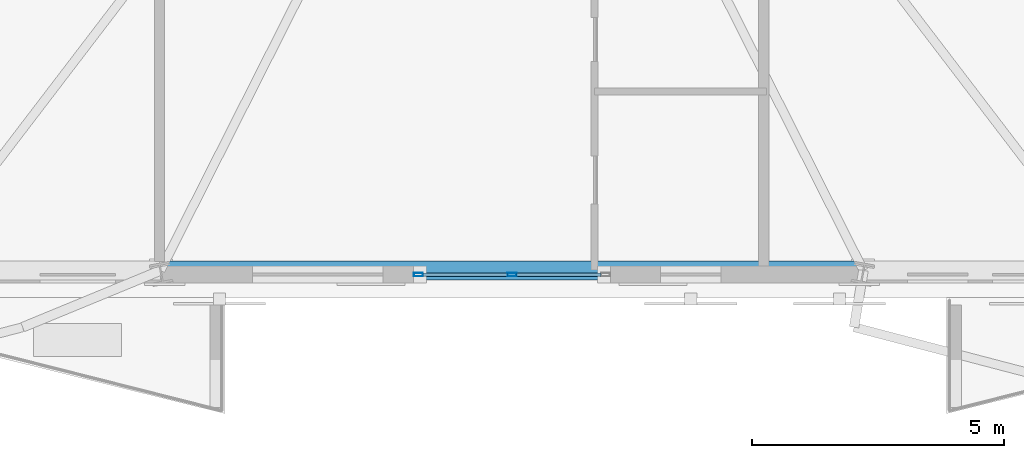
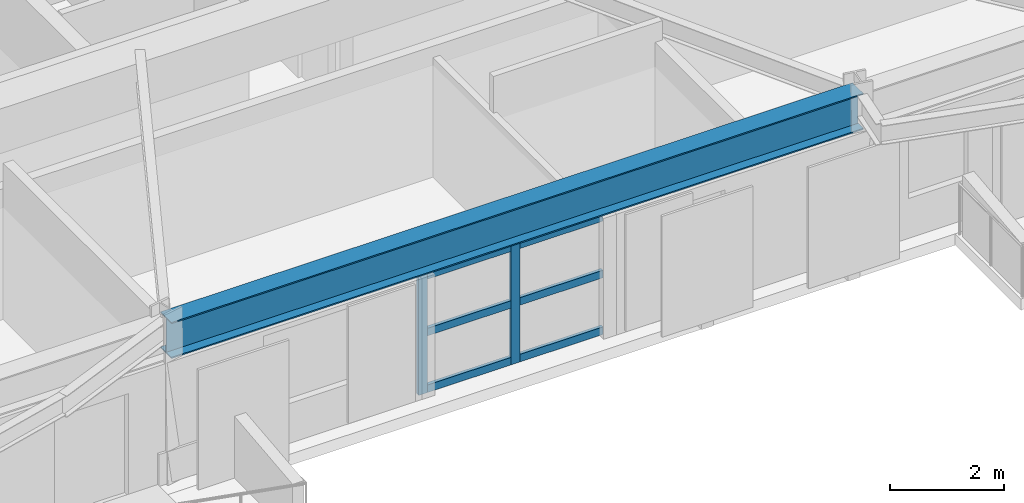
# One storey, part 2 of 16: 8 members, 1 beam, 1 element without a shape of its own.
"""IFC4 building model written with IfcOpenShell, lengths in metres."""

import ifcopenshell
import ifcopenshell.guid

model = None  # the IFC model being written
_history = None  # IfcOwnerHistory: only IFC2X3 demands one
_inside = {}  # id of a spatial element -> (the spatial element, [elements in it])
_under = {}  # id of a project, library or spatial element -> (it, [spatial elements below it])
_declared = {}  # id of a project -> (the project, [libraries it declares])
_typed = {}  # id of a type object -> (the type object, [elements of that type])
_made_of = {}  # id of a material, layer set ... -> (it, [elements and type objects made of it])


def new_model(schema):
    """Start an empty IFC model of exactly this schema.

    Asked for "IFC4X3", IfcOpenShell would pick the latest addendum, in which some entities
    have other attributes; the version numbers below select the first issue.
    IFC2X3 requires an IfcOwnerHistory on every rooted entity: one is made here for all.
    """
    global model, _history
    if schema == "IFC4X3":
        model = ifcopenshell.file(schema_version=(4, 3, 0, 0))
    else:
        model = ifcopenshell.file(schema=schema)
    _inside.clear()
    _under.clear()
    _declared.clear()
    _typed.clear()
    _made_of.clear()
    _history = None
    if model.schema == "IFC2X3":
        org = make("IfcOrganization", Name="unknown")
        user = make(
            "IfcPersonAndOrganization",
            ThePerson=make("IfcPerson", FamilyName="unknown"),
            TheOrganization=org,
        )
        app = make(
            "IfcApplication",
            ApplicationDeveloper=org,
            Version="unknown",
            ApplicationFullName="unknown",
            ApplicationIdentifier="unknown",
        )
        _history = make(
            "IfcOwnerHistory",
            OwningUser=user,
            OwningApplication=app,
            ChangeAction="ADDED",
            CreationDate=0,
        )
    return model


def make(cls, **values):
    """One entity of the class cls with the attributes given. An attribute that is None is left unset."""
    return model.create_entity(
        cls, **{name: value for name, value in values.items() if value is not None}
    )


def rooted(cls, **values):
    """An entity with a GlobalId (a new one), such as an element, a storey or a relation."""
    return make(cls, GlobalId=ifcopenshell.guid.new(), OwnerHistory=_history, **values)


def si_unit(unit_type, name, prefix=None):
    """IfcSIUnit, for example si_unit("LENGTHUNIT", "METRE", prefix="MILLI")."""
    return make("IfcSIUnit", UnitType=unit_type, Prefix=prefix, Name=name)


def assignment(units):
    """IfcUnitAssignment: the units of a project."""
    return None if units is None else make("IfcUnitAssignment", Units=units)


def point(xyz):
    """IfcCartesianPoint."""
    return None if xyz is None else make("IfcCartesianPoint", Coordinates=xyz)


def direction(xyz):
    """IfcDirection."""
    return None if xyz is None else make("IfcDirection", DirectionRatios=xyz)


def frame(location, z_axis=None, x_axis=None):
    """IfcAxis2Placement3D, a coordinate frame: its origin and axes. An axis left out is left unset."""
    return make(
        "IfcAxis2Placement3D",
        Location=point(location),
        Axis=direction(z_axis),
        RefDirection=direction(x_axis),
    )


def frame_2d(location, x_axis=None):
    """IfcAxis2Placement2D, a coordinate frame in the plane: its origin and x axis."""
    return make(
        "IfcAxis2Placement2D", Location=point(location), RefDirection=direction(x_axis)
    )


def origin():
    """The frame at (0, 0, 0) with its axes left unset."""
    return frame((0.0, 0.0, 0.0))


def origin_2d():
    """The frame at (0, 0) in the plane with its x axis left unset."""
    return frame_2d((0.0, 0.0))


def place(relative_to, where):
    """IfcLocalPlacement: puts the frame where relative to a parent placement (None: the world)."""
    return make(
        "IfcLocalPlacement", PlacementRelTo=relative_to, RelativePlacement=where
    )


def context(
    kind, dimensions, precision=None, world=None, true_north=None, identifier=None
):
    """IfcGeometricRepresentationContext, for example the 3D "Model" context."""
    return make(
        "IfcGeometricRepresentationContext",
        ContextIdentifier=identifier,
        ContextType=kind,
        CoordinateSpaceDimension=dimensions,
        Precision=precision,
        WorldCoordinateSystem=world,
        TrueNorth=true_north,
    )


def subcontext(parent, identifier, kind, view, scale=None):
    """IfcGeometricRepresentationSubContext, for example "Body" below "Model"."""
    return make(
        "IfcGeometricRepresentationSubContext",
        ContextIdentifier=identifier,
        ContextType=kind,
        ParentContext=parent,
        TargetScale=scale,
        TargetView=view,
    )


def project(units=None, contexts=None):
    """IfcProject with its units and contexts."""
    return rooted(
        "IfcProject",
        Name="project",
        RepresentationContexts=contexts,
        UnitsInContext=assignment(units),
    )


def spatial(cls, under=None, at=None, **own):
    """A site, building, storey or space (cls), placed at a placement, below another one or the project."""
    s = rooted(cls, ObjectPlacement=at, **own)
    if under is not None:
        _under.setdefault(under.id(), (under, []))[1].append(s)
    return s


def profile(cls, at=None, kind="AREA", **sizes):
    """A parametric profile (cls). Its sizes go by their IFC names, for example OverallWidth=200.0."""
    return make(cls, ProfileType=kind, Position=at, **sizes)


def hollow_rectangle(**sizes):
    """IfcRectangleHollowProfileDef."""
    return profile("IfcRectangleHollowProfileDef", **sizes)


def i_section(**sizes):
    """IfcIShapeProfileDef."""
    return profile("IfcIShapeProfileDef", **sizes)


def extrude(swept, where, along, depth):
    """IfcExtrudedAreaSolid: the profile swept, set in the frame where, extruded along a direction by depth."""
    return make(
        "IfcExtrudedAreaSolid",
        SweptArea=swept,
        Position=where,
        ExtrudedDirection=direction(along),
        Depth=depth,
    )


def shape(context_of_items, identifier, shape_type, items):
    """IfcShapeRepresentation: the items that make up one representation, for example the "Body"."""
    return make(
        "IfcShapeRepresentation",
        ContextOfItems=context_of_items,
        RepresentationIdentifier=identifier,
        RepresentationType=shape_type,
        Items=items,
    )


def material(Name=None, Category=None):
    """IfcMaterial."""
    return make("IfcMaterial", Name=Name, Category=Category)


def layer(
    of_material, thickness, ventilated=None, Name=None, Category=None, Priority=None
):
    """IfcMaterialLayer: one layer of a wall or slab, of a material (None: an air gap)."""
    return make(
        "IfcMaterialLayer",
        Material=of_material,
        LayerThickness=thickness,
        IsVentilated=ventilated,
        Name=Name,
        Category=Category,
        Priority=Priority,
    )


def layer_set(layers, Name=None):
    """IfcMaterialLayerSet."""
    return make("IfcMaterialLayerSet", MaterialLayers=layers, LayerSetName=Name)


def material_profile(
    of_material, cross_section, Name=None, Category=None, Priority=None
):
    """IfcMaterialProfile: a cross section and its material."""
    return make(
        "IfcMaterialProfile",
        Name=Name,
        Material=of_material,
        Profile=cross_section,
        Priority=Priority,
        Category=Category,
    )


def profile_set(profiles, Name=None, composite=None):
    """IfcMaterialProfileSet."""
    return make(
        "IfcMaterialProfileSet",
        Name=Name,
        MaterialProfiles=profiles,
        CompositeProfile=composite,
    )


def made_of(thing, what):
    """Note that an element or type object is made of a material, layer set ...; save() writes the relation."""
    if what is not None:
        _made_of.setdefault(what.id(), (what, []))[1].append(thing)
    return thing


def type_object(cls, material=None, **own):
    """A type object (cls), such as IfcWallType, which elements share."""
    return made_of(rooted(cls, **own), material)


def element(
    cls,
    number,
    at=None,
    inside=None,
    cuts=None,
    type_object=None,
    material=None,
    context=None,
    identifier="Body",
    shape_type=None,
    held_by="IfcProductDefinitionShape",
    body=None,
    shapes=None,
    **own,
):
    """One element of the class cls, such as IfcWall. Its Tag is "e" and its number.

    at: its placement. inside: the storey or other place that contains it. cuts: it is an
    opening in that element (IfcRelVoidsElement). A single representation is given by context,
    identifier, shape_type and body (its items); several are given by shapes. held_by: the class
    of the entity that holds the representations. save() writes the other relations.
    """
    e = rooted(cls, Tag="e%d" % number, ObjectPlacement=at, **own)
    if body is not None:
        shapes = [shape(context, identifier, shape_type, body)]
    if shapes is not None:
        e.Representation = make(held_by, Representations=shapes)
    if inside is not None:
        _inside.setdefault(inside.id(), (inside, []))[1].append(e)
    if cuts is not None:
        rooted(
            "IfcRelVoidsElement", RelatingBuildingElement=cuts, RelatedOpeningElement=e
        )
    if type_object is not None:
        _typed.setdefault(type_object.id(), (type_object, []))[1].append(e)
    return made_of(e, material)


def aggregate(whole, parts):
    """IfcRelAggregates: a whole, such as a stair, and the parts it consists of."""
    return rooted("IfcRelAggregates", RelatingObject=whole, RelatedObjects=parts)


def save(model, path):
    """Write the relations noted so far, then the file.

    IfcRelAggregates (storeys below a building ...), IfcRelContainedInSpatialStructure (elements
    in a storey), IfcRelDefinesByType, IfcRelAssociatesMaterial and IfcRelDeclares: one each for
    every whole, place, type object, material and project.
    """
    for whole, parts in _under.values():
        aggregate(whole, parts)
    for where, things in _inside.values():
        rooted(
            "IfcRelContainedInSpatialStructure",
            RelatedElements=things,
            RelatingStructure=where,
        )
    for kind, things in _typed.values():
        rooted("IfcRelDefinesByType", RelatedObjects=things, RelatingType=kind)
    for what, things in _made_of.values():
        rooted("IfcRelAssociatesMaterial", RelatedObjects=things, RelatingMaterial=what)
    for by, libraries in _declared.values():
        rooted("IfcRelDeclares", RelatingContext=by, RelatedDefinitions=libraries)
    model.write(path)


model = new_model("IFC4")

# Units and contexts
model_context = context("Model", 3, precision=1e-05, world=origin(), true_north=direction((0.0, 1.0)))
body_context = subcontext(model_context, "Body", "Model", "MODEL_VIEW")
ifc_project = project(units=[si_unit("LENGTHUNIT", "METRE"), si_unit("AREAUNIT", "SQUARE_METRE"), si_unit("VOLUMEUNIT", "CUBIC_METRE"), si_unit("PLANEANGLEUNIT", "RADIAN"), si_unit("MASSUNIT", "GRAM", prefix="KILO")], contexts=[model_context])

# Site, building, storey
site_placement = place(None, origin())
site = spatial("IfcSite", under=ifc_project, at=site_placement, CompositionType="ELEMENT")
building_placement = place(site_placement, origin())
building = spatial("IfcBuilding", under=site, at=building_placement, Name="Oramaril Tower", CompositionType="ELEMENT")
storey_placement = place(building_placement, frame((0.0, 0.0, 115.800048828125)))
storey = spatial("IfcBuildingStorey", under=building, at=storey_placement, Name="L30", CompositionType="ELEMENT", Elevation=115.800048828125)

# Beam
ifc_material_1 = material(Name="Steel ASTM A572 Gr 50", Category="steel")
ifc_material_profile_1 = material_profile(ifc_material_1, i_section(OverallWidth=0.381103515625, OverallDepth=0.77197265625, WebThickness=0.0166015625, FlangeThickness=0.027099609375, at=origin_2d()), Name="W30X173")
ifc_profile_set_1 = profile_set([ifc_material_profile_1], Name="Steel ASTM A572 Gr 50")
beam_type = type_object("IfcBeamType", Name="BT-SP2", PredefinedType="SPANDREL", material=ifc_profile_set_1)
beam_placement = place(storey_placement, frame((30.519775390625, 3.712890625, 2.973876953125), z_axis=(1.0, 0.0, 0.0), x_axis=(0.0, 1.0, 0.0)))
element("IfcBeam", 1, at=beam_placement, inside=storey, type_object=beam_type, Name="L30 Perimeter Spandrel 04", PredefinedType="SPANDREL", context=body_context, shape_type="SweptSolid", body=[
    extrude(i_section(OverallWidth=0.381103515625, OverallDepth=0.77197265625, WebThickness=0.0166015625, FlangeThickness=0.027099609375, at=origin_2d()), origin(), (0.0, 0.0, 1.0), 13.96044921875),
])

# Curtain wall, members
ifc_material_2 = material(Name="Anodised Aluminium 6063-T6", Category="aluminium")
ifc_layer = layer(ifc_material_2, 0.179931640625)
ifc_layer_set = layer_set([ifc_layer], Name="CWT-SYS3")
curtain_wall_type = type_object("IfcCurtainWallType", Name="CWT-SYS3", PredefinedType="NOTDEFINED", material=ifc_layer_set)
curtain_wall_placement = place(storey_placement, origin())
curtain_wall = element("IfcCurtainWall", 2, at=curtain_wall_placement, inside=storey, type_object=curtain_wall_type, Name="L30 Unitised Curtain Wall CW-3", PredefinedType="NOTDEFINED")
ifc_material_3 = material(Name="Anodised Aluminium 6063-T6", Category="aluminium")
ifc_material_profile_2 = material_profile(ifc_material_3, hollow_rectangle(XDim=0.070068359375, YDim=0.179931640625, WallThickness=0.00390625, at=origin_2d()), Name="CWM180X70")
ifc_profile_set_2 = profile_set([ifc_material_profile_2], Name="Anodised Aluminium 6063-T6")
member_type_1 = type_object("IfcMemberType", Name="MT-CWM2", PredefinedType="MULLION", material=ifc_profile_set_2)
member_1_placement = place(storey_placement, frame((35.639892578125, 3.62939453125, 0.0), z_axis=(0.0, 0.0, 1.0), x_axis=(0.0, 1.0, 0.0)))
member_1 = element("IfcMember", 3, at=member_1_placement, type_object=member_type_1, Name="CW-3 mullion 1", PredefinedType="MULLION", context=body_context, shape_type="SweptSolid", body=[
    extrude(hollow_rectangle(XDim=0.070068359375, YDim=0.179931640625, WallThickness=0.00390625, at=origin_2d()), origin(), (0.0, 0.0, 1.0), 2.577880859375),
])
member_2_placement = place(storey_placement, frame((37.5, 3.62939453125, 0.0), z_axis=(0.0, 0.0, 1.0), x_axis=(0.0, 1.0, 0.0)))
member_2 = element("IfcMember", 4, at=member_2_placement, type_object=member_type_1, Name="CW-3 mullion 2", PredefinedType="MULLION", context=body_context, shape_type="SweptSolid", body=[
    extrude(hollow_rectangle(XDim=0.070068359375, YDim=0.179931640625, WallThickness=0.00390625, at=origin_2d()), origin(), (0.0, 0.0, 1.0), 2.577880859375),
])
ifc_material_4 = material(Name="Anodised Aluminium 6063-T6", Category="aluminium")
ifc_material_profile_3 = material_profile(ifc_material_4, hollow_rectangle(XDim=0.070068359375, YDim=0.159912109375, WallThickness=0.00390625, at=origin_2d()), Name="CWT160X70")
ifc_profile_set_3 = profile_set([ifc_material_profile_3], Name="Anodised Aluminium 6063-T6")
member_type_2 = type_object("IfcMemberType", Name="MT-CWT1", PredefinedType="USERDEFINED", material=ifc_profile_set_3)
member_3_placement = place(storey_placement, frame((35.72998046875, 3.62939453125, 0.079833984375), z_axis=(1.0, 0.0, 0.0), x_axis=(0.0, 1.0, 0.0)))
member_3 = element("IfcMember", 5, at=member_3_placement, type_object=member_type_2, Name="CW-3 transom 1.1", ObjectType="TRANSOM", PredefinedType="USERDEFINED", context=body_context, shape_type="SweptSolid", body=[
    extrude(hollow_rectangle(XDim=0.070068359375, YDim=0.159912109375, WallThickness=0.00390625, at=origin_2d()), origin(), (0.0, 0.0, 1.0), 1.679931640625),
])
member_4_placement = place(storey_placement, frame((35.72998046875, 3.62939453125, 1.2890625), z_axis=(1.0, 0.0, 0.0), x_axis=(0.0, 1.0, 0.0)))
member_4 = element("IfcMember", 6, at=member_4_placement, type_object=member_type_2, Name="CW-3 transom 1.2", ObjectType="TRANSOM", PredefinedType="USERDEFINED", context=body_context, shape_type="SweptSolid", body=[
    extrude(hollow_rectangle(XDim=0.070068359375, YDim=0.159912109375, WallThickness=0.00390625, at=origin_2d()), origin(), (0.0, 0.0, 1.0), 1.679931640625),
])
member_5_placement = place(storey_placement, frame((35.72998046875, 3.62939453125, 2.498046875), z_axis=(1.0, 0.0, 0.0), x_axis=(0.0, 1.0, 0.0)))
member_5 = element("IfcMember", 7, at=member_5_placement, type_object=member_type_2, Name="CW-3 transom 1.3", ObjectType="TRANSOM", PredefinedType="USERDEFINED", context=body_context, shape_type="SweptSolid", body=[
    extrude(hollow_rectangle(XDim=0.070068359375, YDim=0.159912109375, WallThickness=0.00390625, at=origin_2d()), origin(), (0.0, 0.0, 1.0), 1.679931640625),
])
member_6_placement = place(storey_placement, frame((37.590087890625, 3.62939453125, 0.079833984375), z_axis=(1.0, 0.0, 0.0), x_axis=(0.0, 1.0, 0.0)))
member_6 = element("IfcMember", 8, at=member_6_placement, type_object=member_type_2, Name="CW-3 transom 2.1", ObjectType="TRANSOM", PredefinedType="USERDEFINED", context=body_context, shape_type="SweptSolid", body=[
    extrude(hollow_rectangle(XDim=0.070068359375, YDim=0.159912109375, WallThickness=0.00390625, at=origin_2d()), origin(), (0.0, 0.0, 1.0), 1.679931640625),
])
member_7_placement = place(storey_placement, frame((37.590087890625, 3.62939453125, 1.2890625), z_axis=(1.0, 0.0, 0.0), x_axis=(0.0, 1.0, 0.0)))
member_7 = element("IfcMember", 9, at=member_7_placement, type_object=member_type_2, Name="CW-3 transom 2.2", ObjectType="TRANSOM", PredefinedType="USERDEFINED", context=body_context, shape_type="SweptSolid", body=[
    extrude(hollow_rectangle(XDim=0.070068359375, YDim=0.159912109375, WallThickness=0.00390625, at=origin_2d()), origin(), (0.0, 0.0, 1.0), 1.679931640625),
])
member_8_placement = place(storey_placement, frame((37.590087890625, 3.62939453125, 2.498046875), z_axis=(1.0, 0.0, 0.0), x_axis=(0.0, 1.0, 0.0)))
member_8 = element("IfcMember", 10, at=member_8_placement, type_object=member_type_2, Name="CW-3 transom 2.3", ObjectType="TRANSOM", PredefinedType="USERDEFINED", context=body_context, shape_type="SweptSolid", body=[
    extrude(hollow_rectangle(XDim=0.070068359375, YDim=0.159912109375, WallThickness=0.00390625, at=origin_2d()), origin(), (0.0, 0.0, 1.0), 1.679931640625),
])
aggregate(curtain_wall, [member_1, member_2, member_3, member_4, member_5, member_6, member_7, member_8])

save(model, "model.ifc")
